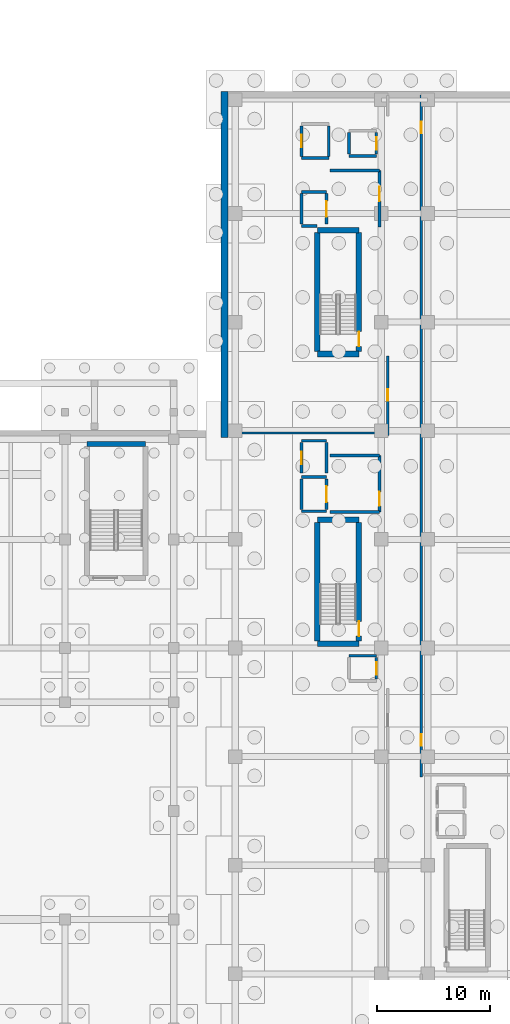
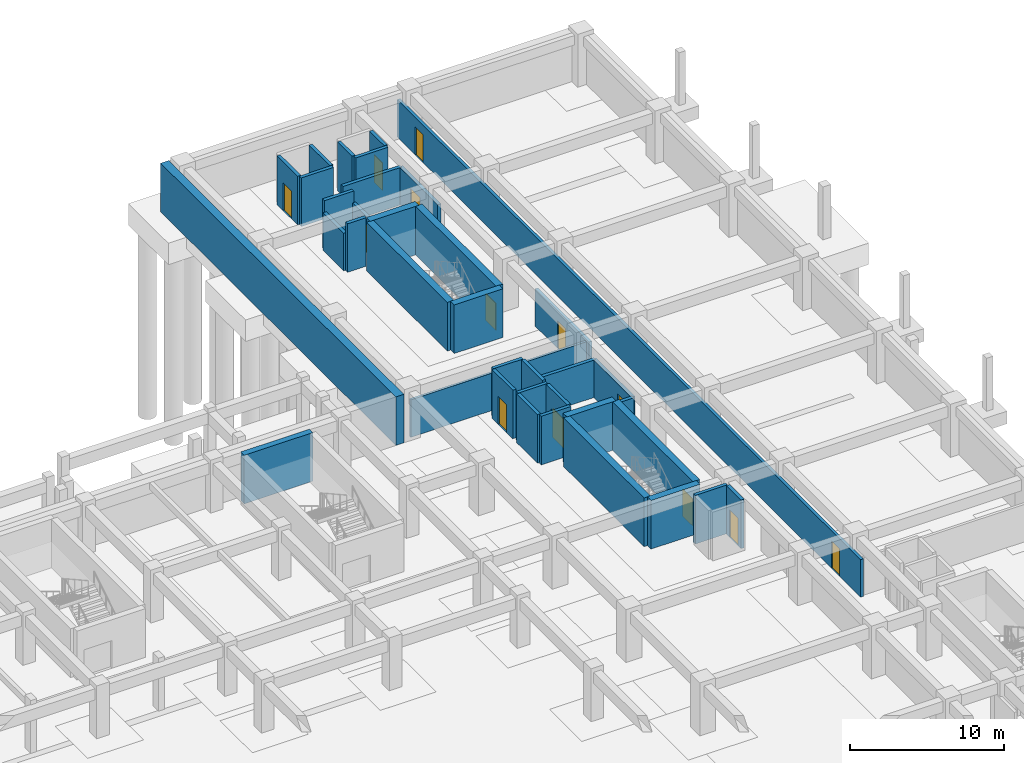
# One storey, part 23 of 39: 37 walls, 13 doors, 13 openings.
"""IFC4 building model written with IfcOpenShell, lengths in metres."""

from ifc_helpers import new_model, si_unit, direction, frame, frame_2d, origin, place, context, subcontext, project, spatial, rectangle, extrude, material, layer, layer_set, type_object, element, fill, save


model = new_model("IFC4")

# Units and contexts
model_context = context("Model", 3, precision=1e-05, world=origin(), true_north=direction((0.0, 1.0)))
body_context = subcontext(model_context, "Body", "Model", "MODEL_VIEW")
ifc_project = project(units=[si_unit("LENGTHUNIT", "METRE"), si_unit("AREAUNIT", "SQUARE_METRE"), si_unit("VOLUMEUNIT", "CUBIC_METRE"), si_unit("PLANEANGLEUNIT", "RADIAN"), si_unit("MASSUNIT", "GRAM", prefix="KILO")], contexts=[model_context])

# Site, building, storey
site_placement = place(None, origin())
site = spatial("IfcSite", under=ifc_project, at=site_placement, CompositionType="ELEMENT")
building_placement = place(site_placement, origin())
building = spatial("IfcBuilding", under=site, at=building_placement, Name="Nakhvara Creek Congress Hotel", CompositionType="ELEMENT")
storey_placement = place(building_placement, frame((0.0, 0.0, -8.39990234375)))
storey = spatial("IfcBuildingStorey", under=building, at=storey_placement, Name="B2", CompositionType="ELEMENT", Elevation=-8.39990234375)

# Walls
ifc_material_1 = material(Name="Concrete C50/60", Category="concrete")
ifc_layer_1 = layer(ifc_material_1, 0.449951171875)
ifc_layer_set_1 = layer_set([ifc_layer_1], Name="Concrete C50/60")
wall_type_1 = type_object("IfcWallType", Name="W-CORE-450", PredefinedType="SHEAR", material=ifc_layer_set_1)
wall_1_placement = place(storey_placement, frame((136.35009765625, 94.820068359375, 0.0), z_axis=(0.0, 0.0, 1.0), x_axis=(1.0, 0.0, 0.0)))
element("IfcWall", 1, at=wall_1_placement, inside=storey, type_object=wall_type_1, Name="Core Shear Wall WS02-CWALL-B2-0912", PredefinedType="SHEAR", context=body_context, shape_type="SweptSolid", body=[
    extrude(rectangle(XDim=5.14990234375, YDim=0.449951171875, at=frame_2d((2.574951171875, 0.0))), origin(), (0.0, 0.0, 1.0), 3.85986328125),
])
ifc_layer_2 = layer(ifc_material_1, 0.5)
ifc_layer_set_2 = layer_set([ifc_layer_2], Name="Concrete C50/60")
wall_type_2 = type_object("IfcWallType", Name="W-CORE-500", PredefinedType="SHEAR", material=ifc_layer_set_2)
for number, where, z_axis, x_axis, name in (
    (2, (156.699951171875, 77.179931640625, 0.0), (0.0, 0.0, 1.0), (1.0, 0.0, 0.0), "Core Shear Wall WS01-CWALL-B2-0001"),
    (3, (156.699951171875, 88.1201171875, 0.0), (0.0, 0.0, 1.0), (1.0, 0.0, 0.0), "Core Shear Wall WS01-CWALL-B2-0002"),
):
    element("IfcWall", number, at=place(storey_placement, frame(where, z_axis=z_axis, x_axis=x_axis)), inside=storey, type_object=wall_type_2, Name=name, PredefinedType="SHEAR", context=body_context, shape_type="SweptSolid", body=[
        extrude(rectangle(XDim=3.670166015625, YDim=0.5, at=frame_2d((1.8349609375, 0.0))), origin(), (0.0, 0.0, 1.0), 3.85986328125),
    ])
wall_2_placement = place(storey_placement, frame((156.699951171875, 77.39990234375, 0.0), z_axis=(0.0, 0.0, 1.0), x_axis=(0.0, 1.0, 0.0)))
element("IfcWall", 4, at=wall_2_placement, inside=storey, type_object=wall_type_2, Name="Core Shear Wall WS01-CWALL-B2-0003", PredefinedType="SHEAR", context=body_context, shape_type="SweptSolid", body=[
    extrude(rectangle(XDim=10.5, YDim=0.5, at=frame_2d((5.25, 0.0))), origin(), (0.0, 0.0, 1.0), 3.85986328125),
])

# Wall, opening, door
wall_3_placement = place(storey_placement, frame((160.3701171875, 77.39990234375, 0.0), z_axis=(0.0, 0.0, 1.0), x_axis=(0.0, 1.0, 0.0)))
wall_3 = element("IfcWall", 5, at=wall_3_placement, inside=storey, type_object=wall_type_2, Name="Core Shear Wall WS01-CWALL-B2-0004", PredefinedType="SHEAR", context=body_context, shape_type="SweptSolid", body=[
    extrude(rectangle(XDim=10.5, YDim=0.5, at=frame_2d((5.25, 0.0))), origin(), (0.0, 0.0, 1.0), 3.85986328125),
])
opening_1_placement = place(wall_3_placement, frame((0.449951171875, 0.0, 0.0)))
opening_1 = element("IfcOpeningElement", 6, at=opening_1_placement, cuts=wall_3, Name="Opening FD04", PredefinedType="OPENING", context=body_context, shape_type="SweptSolid", body=[
    extrude(rectangle(XDim=1.300048828125, YDim=2.14990234375, at=frame_2d((0.64990234375, 1.074951171875))), frame((0.0, 0.261962890625, 0.0), z_axis=(0.0, -1.0, 0.0), x_axis=(1.0, 0.0, 0.0)), (0.0, 0.0, 1.0), 0.52392578125),
])
ifc_material_2 = material(Name="Powder-coated steel fire door", Category="steel")
door_type_1 = type_object("IfcDoorType", Name="DT-STAIR-130", OperationType="NOTDEFINED", PredefinedType="DOOR", material=ifc_material_2)
door_1_placement = place(opening_1_placement, frame((1.300048828125, 0.0, 0.0), z_axis=(0.0, 0.0, 1.0), x_axis=(-1.0, 0.0, 0.0)))
door_1 = element("IfcDoor", 7, at=door_1_placement, inside=storey, type_object=door_type_1, Name="Stair Exit Door ST01-B2", OperationType="SINGLE_SWING_LEFT", OverallHeight=2.14990234375, OverallWidth=1.300048828125, PredefinedType="DOOR", context=body_context, shape_type="SweptSolid", body=[
    extrude(rectangle(XDim=1.300048828125, YDim=2.14990234375, at=frame_2d((0.64990234375, 1.074951171875))), frame((0.0, 0.02490234375, 0.0), z_axis=(0.0, -1.0, 0.0), x_axis=(1.0, 0.0, 0.0)), (0.0, 0.0, 1.0), 0.050048828125),
])
fill(opening_1, door_1)

# Walls
for number, where, z_axis, x_axis, name in (
    (8, (156.699951171875, 102.780029296875, 0.0), (0.0, 0.0, 1.0), (1.0, 0.0, 0.0), "Core Shear Wall WS01-CWALL-B2-0268"),
    (9, (156.699951171875, 113.719970703125, 0.0), (0.0, 0.0, 1.0), (1.0, 0.0, 0.0), "Core Shear Wall WS01-CWALL-B2-0269"),
):
    element("IfcWall", number, at=place(storey_placement, frame(where, z_axis=z_axis, x_axis=x_axis)), inside=storey, type_object=wall_type_2, Name=name, PredefinedType="SHEAR", context=body_context, shape_type="SweptSolid", body=[
        extrude(rectangle(XDim=3.670166015625, YDim=0.5, at=frame_2d((1.8349609375, 0.0))), origin(), (0.0, 0.0, 1.0), 3.85986328125),
    ])
wall_4_placement = place(storey_placement, frame((156.699951171875, 103.0, 0.0), z_axis=(0.0, 0.0, 1.0), x_axis=(0.0, 1.0, 0.0)))
element("IfcWall", 10, at=wall_4_placement, inside=storey, type_object=wall_type_2, Name="Core Shear Wall WS01-CWALL-B2-0270", PredefinedType="SHEAR", context=body_context, shape_type="SweptSolid", body=[
    extrude(rectangle(XDim=10.5, YDim=0.5, at=frame_2d((5.25, 0.0))), origin(), (0.0, 0.0, 1.0), 3.85986328125),
])

# Wall, opening, door
wall_5_placement = place(storey_placement, frame((160.3701171875, 103.0, 0.0), z_axis=(0.0, 0.0, 1.0), x_axis=(0.0, 1.0, 0.0)))
wall_5 = element("IfcWall", 11, at=wall_5_placement, inside=storey, type_object=wall_type_2, Name="Core Shear Wall WS01-CWALL-B2-0271", PredefinedType="SHEAR", context=body_context, shape_type="SweptSolid", body=[
    extrude(rectangle(XDim=10.5, YDim=0.5, at=frame_2d((5.25, 0.0))), origin(), (0.0, 0.0, 1.0), 3.85986328125),
])
opening_2_placement = place(wall_5_placement, frame((0.449951171875, 0.0, 0.0)))
opening_2 = element("IfcOpeningElement", 12, at=opening_2_placement, cuts=wall_5, Name="Opening FD04", PredefinedType="OPENING", context=body_context, shape_type="SweptSolid", body=[
    extrude(rectangle(XDim=1.300048828125, YDim=2.14990234375, at=frame_2d((0.64990234375, 1.074951171875))), frame((0.0, 0.261962890625, 0.0), z_axis=(0.0, -1.0, 0.0), x_axis=(1.0, 0.0, 0.0)), (0.0, 0.0, 1.0), 0.52392578125),
])
door_2_placement = place(opening_2_placement, frame((1.300048828125, 0.0, 0.0), z_axis=(0.0, 0.0, 1.0), x_axis=(-1.0, 0.0, 0.0)))
door_2 = element("IfcDoor", 13, at=door_2_placement, inside=storey, type_object=door_type_1, Name="Stair Exit Door ST02-B2", OperationType="SINGLE_SWING_LEFT", OverallHeight=2.14990234375, OverallWidth=1.300048828125, PredefinedType="DOOR", context=body_context, shape_type="SweptSolid", body=[
    extrude(rectangle(XDim=1.300048828125, YDim=2.14990234375, at=frame_2d((0.64990234375, 1.074951171875))), frame((0.0, 0.02490234375, 0.0), z_axis=(0.0, -1.0, 0.0), x_axis=(1.0, 0.0, 0.0)), (0.0, 0.0, 1.0), 0.050048828125),
])
fill(opening_2, door_2)

ifc_material_3 = material(Name="Gypsum acoustic board on steel stud", Category="steel")
ifc_layer_3 = layer(ifc_material_3, 0.219970703125)
ifc_layer_set_3 = layer_set([ifc_layer_3], Name="Gypsum acoustic board on steel stud")
wall_type_3 = type_object("IfcWallType", Name="W-CORR-220", PredefinedType="PARTITIONING", material=ifc_layer_set_3)
wall_6_placement = place(storey_placement, frame((162.919921875, 95.60009765625, 0.0), z_axis=(0.0, 0.0, 1.0), x_axis=(0.0, 1.0, 0.0)))
wall_6 = element("IfcWall", 14, at=wall_6_placement, inside=storey, type_object=wall_type_3, Name="Interior Wall WP11-IW-B2-0028", PredefinedType="PARTITIONING", context=body_context, shape_type="SweptSolid", body=[
    extrude(rectangle(XDim=7.0, YDim=0.219970703125, at=frame_2d((3.5, 0.0))), origin(), (0.0, 0.0, 1.0), 2.971923828125),
])
opening_3_placement = place(wall_6_placement, frame((3.050048828125, 0.0, 0.0)))
opening_3 = element("IfcOpeningElement", 15, at=opening_3_placement, cuts=wall_6, Name="Opening GD01", PredefinedType="OPENING", context=body_context, shape_type="SweptSolid", body=[
    extrude(rectangle(XDim=1.02001953125, YDim=2.199951171875, at=frame_2d((0.510009765625, 1.10009765625))), frame((0.0, 0.1220703125, 0.0), z_axis=(0.0, -1.0, 0.0), x_axis=(1.0, 0.0, 0.0)), (0.0, 0.0, 1.0), 0.243896484375),
])
ifc_material_4 = material(Name="Walnut hardwood timber fire door", Category="wood")
door_type_2 = type_object("IfcDoorType", Name="DT-GUEST-102", OperationType="NOTDEFINED", PredefinedType="DOOR", material=ifc_material_4)
door_3_placement = place(opening_3_placement, frame((1.02001953125, 0.0, 0.0), z_axis=(0.0, 0.0, 1.0), x_axis=(-1.0, 0.0, 0.0)))
door_3 = element("IfcDoor", 16, at=door_3_placement, inside=storey, type_object=door_type_2, Name="Interior Door GD01-0039", OperationType="SINGLE_SWING_RIGHT", OverallHeight=2.199951171875, OverallWidth=1.02001953125, PredefinedType="DOOR", context=body_context, shape_type="SweptSolid", body=[
    extrude(rectangle(XDim=1.02001953125, YDim=2.199951171875, at=frame_2d((0.510009765625, 1.10009765625))), frame((0.0, 0.02490234375, 0.0), z_axis=(0.0, -1.0, 0.0), x_axis=(1.0, 0.0, 0.0)), (0.0, 0.0, 1.0), 0.050048828125),
])
fill(opening_3, door_3)

# Wall, openings, doors
wall_7_placement = place(storey_placement, frame((165.8798828125, 65.39990234375, 0.0), z_axis=(0.0, 0.0, 1.0), x_axis=(0.0, 1.0, 0.0)))
wall_7 = element("IfcWall", 17, at=wall_7_placement, inside=storey, type_object=wall_type_3, Name="Interior Wall WP11-IW-B2-0032", PredefinedType="PARTITIONING", context=body_context, shape_type="SweptSolid", body=[
    extrude(rectangle(XDim=60.25, YDim=0.219970703125, at=frame_2d((30.125, 0.0))), origin(), (0.0, 0.0, 1.0), 2.971923828125),
])
opening_4_placement = place(wall_7_placement, frame((2.75, 0.0, 0.0)))
opening_4 = element("IfcOpeningElement", 18, at=opening_4_placement, cuts=wall_7, Name="Opening GD01", PredefinedType="OPENING", context=body_context, shape_type="SweptSolid", body=[
    extrude(rectangle(XDim=1.02001953125, YDim=2.199951171875, at=frame_2d((0.510009765625, 1.10009765625))), frame((0.0, 0.1220703125, 0.0), z_axis=(0.0, -1.0, 0.0), x_axis=(1.0, 0.0, 0.0)), (0.0, 0.0, 1.0), 0.243896484375),
])
opening_5_placement = place(wall_7_placement, frame((56.89990234375, 0.0, 0.0)))
opening_5 = element("IfcOpeningElement", 19, at=opening_5_placement, cuts=wall_7, Name="Opening GD01", PredefinedType="OPENING", context=body_context, shape_type="SweptSolid", body=[
    extrude(rectangle(XDim=1.02001953125, YDim=2.199951171875, at=frame_2d((0.510009765625, 1.10009765625))), frame((0.0, 0.1220703125, 0.0), z_axis=(0.0, -1.0, 0.0), x_axis=(1.0, 0.0, 0.0)), (0.0, 0.0, 1.0), 0.243896484375),
])
door_4_placement = place(opening_4_placement, origin())
door_4 = element("IfcDoor", 20, at=door_4_placement, inside=storey, type_object=door_type_2, Name="Interior Door GD01-0037", OperationType="SINGLE_SWING_RIGHT", OverallHeight=2.199951171875, OverallWidth=1.02001953125, PredefinedType="DOOR", context=body_context, shape_type="SweptSolid", body=[
    extrude(rectangle(XDim=1.02001953125, YDim=2.199951171875, at=frame_2d((0.510009765625, 1.10009765625))), frame((0.0, 0.02490234375, 0.0), z_axis=(0.0, -1.0, 0.0), x_axis=(1.0, 0.0, 0.0)), (0.0, 0.0, 1.0), 0.050048828125),
])
fill(opening_4, door_4)
door_5_placement = place(opening_5_placement, origin())
door_5 = element("IfcDoor", 21, at=door_5_placement, inside=storey, type_object=door_type_2, Name="Interior Door GD01-0038", OperationType="SINGLE_SWING_LEFT", OverallHeight=2.199951171875, OverallWidth=1.02001953125, PredefinedType="DOOR", context=body_context, shape_type="SweptSolid", body=[
    extrude(rectangle(XDim=1.02001953125, YDim=2.199951171875, at=frame_2d((0.510009765625, 1.10009765625))), frame((0.0, 0.02490234375, 0.0), z_axis=(0.0, -1.0, 0.0), x_axis=(1.0, 0.0, 0.0)), (0.0, 0.0, 1.0), 0.050048828125),
])
fill(opening_5, door_5)

# Wall, opening, door
ifc_material_5 = material(Name="Concrete C40/50", Category="concrete")
ifc_layer_4 = layer(ifc_material_5, 0.260009765625)
ifc_layer_set_4 = layer_set([ifc_layer_4], Name="Concrete C40/50")
wall_type_4 = type_object("IfcWallType", Name="W-FFL-260", PredefinedType="SOLIDWALL", material=ifc_layer_set_4)
wall_8_placement = place(storey_placement, frame((162.199951171875, 88.800048828125, 0.0), z_axis=(0.0, 0.0, 1.0), x_axis=(0.0, 1.0, 0.0)))
wall_8 = element("IfcWall", 22, at=wall_8_placement, inside=storey, type_object=wall_type_4, Name="Core Shear Wall WI03-CWALL-B2-0016", PredefinedType="SOLIDWALL", context=body_context, shape_type="SweptSolid", body=[
    extrude(rectangle(XDim=5.0, YDim=0.260009765625, at=frame_2d((2.5, 0.0))), origin(), (0.0, 0.0, 1.0), 2.971923828125),
])
opening_6_placement = place(wall_8_placement, frame((0.550048828125, 0.0, 0.0)))
opening_6 = element("IfcOpeningElement", 23, at=opening_6_placement, cuts=wall_8, Name="Opening FD05", PredefinedType="OPENING", context=body_context, shape_type="SweptSolid", body=[
    extrude(rectangle(XDim=1.25, YDim=2.14990234375, at=frame_2d((0.625, 1.074951171875))), frame((0.0, 0.14208984375, 0.0), z_axis=(0.0, -1.0, 0.0), x_axis=(1.0, 0.0, 0.0)), (0.0, 0.0, 1.0), 0.283935546875),
])
ifc_material_6 = material(Name="Hardwood-veneered steel fire door", Category="steel")
door_type_3 = type_object("IfcDoorType", Name="DT-FFL-125", OperationType="NOTDEFINED", PredefinedType="DOOR", material=ifc_material_6)
door_6_placement = place(opening_6_placement, origin())
door_6 = element("IfcDoor", 24, at=door_6_placement, inside=storey, type_object=door_type_3, Name="Firefighting Lobby Door C1-B2", OperationType="DOUBLE_DOOR_SINGLE_SWING", OverallHeight=2.14990234375, OverallWidth=1.25, PredefinedType="DOOR", context=body_context, shape_type="SweptSolid", body=[
    extrude(rectangle(XDim=1.25, YDim=2.14990234375, at=frame_2d((0.625, 1.074951171875))), frame((0.0, 0.02490234375, 0.0), z_axis=(0.0, -1.0, 0.0), x_axis=(1.0, 0.0, 0.0)), (0.0, 0.0, 1.0), 0.050048828125),
])
fill(opening_6, door_6)

# Walls
for number, where, z_axis, x_axis, name in (
    (25, (157.800048828125, 88.800048828125, 0.0), (0.0, 0.0, 1.0), (1.0, 0.0, 0.0), "Core Shear Wall WI03-CWALL-B2-0017"),
    (26, (157.800048828125, 93.800048828125, 0.0), (0.0, 0.0, 1.0), (1.0, 0.0, 0.0), "Core Shear Wall WI03-CWALL-B2-0018"),
):
    element("IfcWall", number, at=place(storey_placement, frame(where, z_axis=z_axis, x_axis=x_axis)), inside=storey, type_object=wall_type_4, Name=name, PredefinedType="SOLIDWALL", context=body_context, shape_type="SweptSolid", body=[
        extrude(rectangle(XDim=4.39990234375, YDim=0.260009765625, at=frame_2d((2.199951171875, 0.0))), origin(), (0.0, 0.0, 1.0), 2.971923828125),
    ])

# Wall, opening, door
wall_9_placement = place(storey_placement, frame((162.199951171875, 114.0, 0.0), z_axis=(0.0, 0.0, 1.0), x_axis=(0.0, 1.0, 0.0)))
wall_9 = element("IfcWall", 27, at=wall_9_placement, inside=storey, type_object=wall_type_4, Name="Core Shear Wall WI03-CWALL-B2-0284", PredefinedType="SOLIDWALL", context=body_context, shape_type="SweptSolid", body=[
    extrude(rectangle(XDim=5.0, YDim=0.260009765625, at=frame_2d((2.5, 0.0))), origin(), (0.0, 0.0, 1.0), 2.971923828125),
])
opening_7_placement = place(wall_9_placement, frame((2.300048828125, 0.0, 0.0)))
opening_7 = element("IfcOpeningElement", 28, at=opening_7_placement, cuts=wall_9, Name="Opening FD05", PredefinedType="OPENING", context=body_context, shape_type="SweptSolid", body=[
    extrude(rectangle(XDim=1.25, YDim=2.14990234375, at=frame_2d((0.625, 1.074951171875))), frame((0.0, 0.14208984375, 0.0), z_axis=(0.0, -1.0, 0.0), x_axis=(1.0, 0.0, 0.0)), (0.0, 0.0, 1.0), 0.283935546875),
])
door_7_placement = place(opening_7_placement, origin())
door_7 = element("IfcDoor", 29, at=door_7_placement, inside=storey, type_object=door_type_3, Name="Firefighting Lobby Door C2-B2", OperationType="DOUBLE_DOOR_SINGLE_SWING", OverallHeight=2.14990234375, OverallWidth=1.25, PredefinedType="DOOR", context=body_context, shape_type="SweptSolid", body=[
    extrude(rectangle(XDim=1.25, YDim=2.14990234375, at=frame_2d((0.625, 1.074951171875))), frame((0.0, 0.02490234375, 0.0), z_axis=(0.0, -1.0, 0.0), x_axis=(1.0, 0.0, 0.0)), (0.0, 0.0, 1.0), 0.050048828125),
])
fill(opening_7, door_7)

# Walls
wall_10_placement = place(storey_placement, frame((157.800048828125, 119.0, 0.0), z_axis=(0.0, 0.0, 1.0), x_axis=(1.0, 0.0, 0.0)))
element("IfcWall", 30, at=wall_10_placement, inside=storey, type_object=wall_type_4, Name="Core Shear Wall WI03-CWALL-B2-0285", PredefinedType="SOLIDWALL", context=body_context, shape_type="SweptSolid", body=[
    extrude(rectangle(XDim=4.39990234375, YDim=0.260009765625, at=frame_2d((2.199951171875, 0.0))), origin(), (0.0, 0.0, 1.0), 2.971923828125),
])
ifc_layer_5 = layer(ifc_material_3, 0.179931640625)
ifc_layer_set_5 = layer_set([ifc_layer_5], Name="Gypsum acoustic board on steel stud")
wall_type_5 = type_object("IfcWallType", Name="W-MEET-180", PredefinedType="PARTITIONING", material=ifc_layer_set_5)
wall_11_placement = place(storey_placement, frame((149.5, 95.800048828125, 0.0), z_axis=(0.0, 0.0, 1.0), x_axis=(1.0, 0.0, 0.0)))
element("IfcWall", 31, at=wall_11_placement, inside=storey, type_object=wall_type_5, Name="Interior Wall WP13-IW-B2-0038", PredefinedType="PARTITIONING", context=body_context, shape_type="SweptSolid", body=[
    extrude(rectangle(XDim=13.199951171875, YDim=0.179931640625, at=frame_2d((6.60009765625, 0.0))), origin(), (0.0, 0.0, 1.0), 2.971923828125),
])
ifc_layer_6 = layer(ifc_material_5, 0.60009765625)
ifc_layer_set_6 = layer_set([ifc_layer_6], Name="Concrete C40/50")
wall_type_6 = type_object("IfcWallType", Name="W-RET-600", PredefinedType="USERDEFINED", material=ifc_layer_set_6)
wall_12_placement = place(storey_placement, frame((148.5, 95.39990234375, 0.0), z_axis=(0.0, 0.0, 1.0), x_axis=(0.0, 1.0, 0.0)))
element("IfcWall", 32, at=wall_12_placement, inside=storey, type_object=wall_type_6, Name="Exterior Wall WR01-EW-B2-0005", ObjectType="RETAININGWALL", PredefinedType="USERDEFINED", context=body_context, shape_type="SweptSolid", body=[
    extrude(rectangle(XDim=30.60009765625, YDim=0.60009765625, at=frame_2d((15.300048828125, 0.0))), origin(), (0.0, 0.0, 1.0), 3.85986328125),
])
ifc_layer_7 = layer(ifc_material_5, 0.25)
ifc_layer_set_7 = layer_set([ifc_layer_7], Name="Concrete C40/50")
wall_type_7 = type_object("IfcWallType", Name="W-SHAFT-250", PredefinedType="SOLIDWALL", material=ifc_layer_set_7)
for number, where, z_axis, x_axis, name in (
    (33, (155.2900390625, 88.889892578125, 0.0), (0.0, 0.0, 1.0), (1.0, 0.0, 0.0), "Core Shear Wall WI02-CWALL-B2-0005"),
    (34, (155.2900390625, 91.909912109375, 0.0), (0.0, 0.0, 1.0), (1.0, 0.0, 0.0), "Core Shear Wall WI02-CWALL-B2-0006"),
):
    element("IfcWall", number, at=place(storey_placement, frame(where, z_axis=z_axis, x_axis=x_axis)), inside=storey, type_object=wall_type_7, Name=name, PredefinedType="SOLIDWALL", context=body_context, shape_type="SweptSolid", body=[
        extrude(rectangle(XDim=2.219970703125, YDim=0.25, at=frame_2d((1.10986328125, 0.0))), origin(), (0.0, 0.0, 1.0), 3.85986328125),
    ])
wall_13_placement = place(storey_placement, frame((155.2900390625, 89.050048828125, 0.0), z_axis=(0.0, 0.0, 1.0), x_axis=(0.0, 1.0, 0.0)))
element("IfcWall", 35, at=wall_13_placement, inside=storey, type_object=wall_type_7, Name="Core Shear Wall WI02-CWALL-B2-0007", PredefinedType="SOLIDWALL", context=body_context, shape_type="SweptSolid", body=[
    extrude(rectangle(XDim=2.699951171875, YDim=0.25, at=frame_2d((1.35009765625, 0.0))), origin(), (0.0, 0.0, 1.0), 3.85986328125),
])

# Wall, opening, door
wall_14_placement = place(storey_placement, frame((157.510009765625, 89.050048828125, 0.0), z_axis=(0.0, 0.0, 1.0), x_axis=(0.0, 1.0, 0.0)))
wall_14 = element("IfcWall", 36, at=wall_14_placement, inside=storey, type_object=wall_type_7, Name="Core Shear Wall WI02-CWALL-B2-0008", PredefinedType="SOLIDWALL", context=body_context, shape_type="SweptSolid", body=[
    extrude(rectangle(XDim=2.699951171875, YDim=0.25, at=frame_2d((1.35009765625, 0.0))), origin(), (0.0, 0.0, 1.0), 3.85986328125),
])
opening_8_placement = place(wall_14_placement, frame((0.64990234375, 0.0, 0.0)))
opening_8 = element("IfcOpeningElement", 37, at=opening_8_placement, cuts=wall_14, Name="Opening LD02", PredefinedType="OPENING", context=body_context, shape_type="SweptSolid", body=[
    extrude(rectangle(XDim=1.39990234375, YDim=2.300048828125, at=frame_2d((0.699951171875, 1.14990234375))), frame((0.0, 0.136962890625, 0.0), z_axis=(0.0, -1.0, 0.0), x_axis=(1.0, 0.0, 0.0)), (0.0, 0.0, 1.0), 0.27392578125),
])
ifc_material_7 = material(Name="Brushed stainless steel heavy goods landing door", Category="steel")
door_type_4 = type_object("IfcDoorType", Name="DT-LIFT-140", OperationType="DOUBLE_DOOR_SLIDING", PredefinedType="DOOR", material=ifc_material_7)
door_8_placement = place(opening_8_placement, origin())
door_8 = element("IfcDoor", 38, at=door_8_placement, inside=storey, type_object=door_type_4, Name="Landing Door FFL1-B2", OperationType="SLIDING_TO_LEFT", OverallHeight=2.300048828125, OverallWidth=1.39990234375, PredefinedType="DOOR", context=body_context, shape_type="SweptSolid", body=[
    extrude(rectangle(XDim=1.39990234375, YDim=2.300048828125, at=frame_2d((0.699951171875, 1.14990234375))), frame((0.0, 0.02490234375, 0.0), z_axis=(0.0, -1.0, 0.0), x_axis=(1.0, 0.0, 0.0)), (0.0, 0.0, 1.0), 0.050048828125),
])
fill(opening_8, door_8)

# Wall
wall_15_placement = place(storey_placement, frame((155.2900390625, 95.110107421875, 0.0), z_axis=(0.0, 0.0, 1.0), x_axis=(1.0, 0.0, 0.0)))
element("IfcWall", 39, at=wall_15_placement, inside=storey, type_object=wall_type_7, Name="Core Shear Wall WI02-CWALL-B2-0009", PredefinedType="SOLIDWALL", context=body_context, shape_type="SweptSolid", body=[
    extrude(rectangle(XDim=2.219970703125, YDim=0.25, at=frame_2d((1.10986328125, 0.0))), origin(), (0.0, 0.0, 1.0), 3.85986328125),
])

# Wall, opening, door
wall_16_placement = place(storey_placement, frame((155.2900390625, 92.25, 0.0), z_axis=(0.0, 0.0, 1.0), x_axis=(0.0, 1.0, 0.0)))
wall_16 = element("IfcWall", 40, at=wall_16_placement, inside=storey, type_object=wall_type_7, Name="Core Shear Wall WI02-CWALL-B2-0010", PredefinedType="SOLIDWALL", context=body_context, shape_type="SweptSolid", body=[
    extrude(rectangle(XDim=2.699951171875, YDim=0.25, at=frame_2d((1.35009765625, 0.0))), origin(), (0.0, 0.0, 1.0), 3.85986328125),
])
opening_9_placement = place(wall_16_placement, frame((0.800048828125, 0.0, 0.0)))
opening_9 = element("IfcOpeningElement", 41, at=opening_9_placement, cuts=wall_16, Name="Opening LD01", PredefinedType="OPENING", context=body_context, shape_type="SweptSolid", body=[
    extrude(rectangle(XDim=1.10009765625, YDim=2.199951171875, at=frame_2d((0.550048828125, 1.10009765625))), frame((0.0, 0.136962890625, 0.0), z_axis=(0.0, -1.0, 0.0), x_axis=(1.0, 0.0, 0.0)), (0.0, 0.0, 1.0), 0.27392578125),
])
ifc_material_8 = material(Name="Brushed stainless steel sliding landing door", Category="steel")
door_type_5 = type_object("IfcDoorType", Name="DT-LIFT-110", OperationType="DOUBLE_DOOR_SLIDING", PredefinedType="DOOR", material=ifc_material_8)
door_9_placement = place(opening_9_placement, origin())
door_9 = element("IfcDoor", 42, at=door_9_placement, inside=storey, type_object=door_type_5, Name="Landing Door SL01-B2", OperationType="SLIDING_TO_LEFT", OverallHeight=2.199951171875, OverallWidth=1.10009765625, PredefinedType="DOOR", context=body_context, shape_type="SweptSolid", body=[
    extrude(rectangle(XDim=1.10009765625, YDim=2.199951171875, at=frame_2d((0.550048828125, 1.10009765625))), frame((0.0, 0.02490234375, 0.0), z_axis=(0.0, -1.0, 0.0), x_axis=(1.0, 0.0, 0.0)), (0.0, 0.0, 1.0), 0.050048828125),
])
fill(opening_9, door_9)

# Walls
wall_17_placement = place(storey_placement, frame((157.510009765625, 92.25, 0.0), z_axis=(0.0, 0.0, 1.0), x_axis=(0.0, 1.0, 0.0)))
element("IfcWall", 43, at=wall_17_placement, inside=storey, type_object=wall_type_7, Name="Core Shear Wall WI02-CWALL-B2-0011", PredefinedType="SOLIDWALL", context=body_context, shape_type="SweptSolid", body=[
    extrude(rectangle(XDim=2.699951171875, YDim=0.25, at=frame_2d((1.35009765625, 0.0))), origin(), (0.0, 0.0, 1.0), 3.85986328125),
])
wall_18_placement = place(storey_placement, frame((159.489990234375, 76.110107421875, 0.0), z_axis=(0.0, 0.0, 1.0), x_axis=(1.0, 0.0, 0.0)))
element("IfcWall", 44, at=wall_18_placement, inside=storey, type_object=wall_type_7, Name="Core Shear Wall WI02-CWALL-B2-0013", PredefinedType="SOLIDWALL", context=body_context, shape_type="SweptSolid", body=[
    extrude(rectangle(XDim=2.419921875, YDim=0.25, at=frame_2d((1.2099609375, 0.0))), origin(), (0.0, 0.0, 1.0), 3.85986328125),
])

# Wall, opening, door
wall_19_placement = place(storey_placement, frame((161.909912109375, 74.050048828125, 0.0), z_axis=(0.0, 0.0, 1.0), x_axis=(0.0, 1.0, 0.0)))
wall_19 = element("IfcWall", 45, at=wall_19_placement, inside=storey, type_object=wall_type_7, Name="Core Shear Wall WI02-CWALL-B2-0015", PredefinedType="SOLIDWALL", context=body_context, shape_type="SweptSolid", body=[
    extrude(rectangle(XDim=1.89990234375, YDim=0.25, at=frame_2d((0.949951171875, 0.0))), origin(), (0.0, 0.0, 1.0), 3.85986328125),
])
opening_10_placement = place(wall_19_placement, frame((0.39990234375, 0.0, 0.0)))
opening_10 = element("IfcOpeningElement", 46, at=opening_10_placement, cuts=wall_19, Name="Opening LD01", PredefinedType="OPENING", context=body_context, shape_type="SweptSolid", body=[
    extrude(rectangle(XDim=1.10009765625, YDim=2.199951171875, at=frame_2d((0.550048828125, 1.10009765625))), frame((0.0, 0.136962890625, 0.0), z_axis=(0.0, -1.0, 0.0), x_axis=(1.0, 0.0, 0.0)), (0.0, 0.0, 1.0), 0.27392578125),
])
door_10_placement = place(opening_10_placement, origin())
door_10 = element("IfcDoor", 47, at=door_10_placement, inside=storey, type_object=door_type_5, Name="Landing Door PL02-B2", OperationType="SLIDING_TO_LEFT", OverallHeight=2.199951171875, OverallWidth=1.10009765625, PredefinedType="DOOR", context=body_context, shape_type="SweptSolid", body=[
    extrude(rectangle(XDim=1.10009765625, YDim=2.199951171875, at=frame_2d((0.550048828125, 1.10009765625))), frame((0.0, 0.02490234375, 0.0), z_axis=(0.0, -1.0, 0.0), x_axis=(1.0, 0.0, 0.0)), (0.0, 0.0, 1.0), 0.050048828125),
])
fill(opening_10, door_10)

# Walls
wall_20_placement = place(storey_placement, frame((155.2900390625, 114.090087890625, 0.0), z_axis=(0.0, 0.0, 1.0), x_axis=(1.0, 0.0, 0.0)))
element("IfcWall", 48, at=wall_20_placement, inside=storey, type_object=wall_type_7, Name="Core Shear Wall WI02-CWALL-B2-0272", PredefinedType="SOLIDWALL", context=body_context, shape_type="SweptSolid", body=[
    extrude(rectangle(XDim=1.39990234375, YDim=0.25, at=frame_2d((0.699951171875, 0.0))), origin(), (0.0, 0.0, 1.0), 3.85986328125),
])
wall_21_placement = place(storey_placement, frame((155.2900390625, 117.110107421875, 0.0), z_axis=(0.0, 0.0, 1.0), x_axis=(1.0, 0.0, 0.0)))
element("IfcWall", 49, at=wall_21_placement, inside=storey, type_object=wall_type_7, Name="Core Shear Wall WI02-CWALL-B2-0273", PredefinedType="SOLIDWALL", context=body_context, shape_type="SweptSolid", body=[
    extrude(rectangle(XDim=2.219970703125, YDim=0.25, at=frame_2d((1.10986328125, 0.0))), origin(), (0.0, 0.0, 1.0), 3.85986328125),
])
wall_22_placement = place(storey_placement, frame((155.2900390625, 114.25, 0.0), z_axis=(0.0, 0.0, 1.0), x_axis=(0.0, 1.0, 0.0)))
element("IfcWall", 50, at=wall_22_placement, inside=storey, type_object=wall_type_7, Name="Core Shear Wall WI02-CWALL-B2-0274", PredefinedType="SOLIDWALL", context=body_context, shape_type="SweptSolid", body=[
    extrude(rectangle(XDim=2.699951171875, YDim=0.25, at=frame_2d((1.35009765625, 0.0))), origin(), (0.0, 0.0, 1.0), 2.971923828125),
])

# Wall, opening, door
wall_23_placement = place(storey_placement, frame((157.510009765625, 114.25, 0.0), z_axis=(0.0, 0.0, 1.0), x_axis=(0.0, 1.0, 0.0)))
wall_23 = element("IfcWall", 51, at=wall_23_placement, inside=storey, type_object=wall_type_7, Name="Core Shear Wall WI02-CWALL-B2-0275", PredefinedType="SOLIDWALL", context=body_context, shape_type="SweptSolid", body=[
    extrude(rectangle(XDim=2.699951171875, YDim=0.25, at=frame_2d((1.35009765625, 0.0))), origin(), (0.0, 0.0, 1.0), 2.971923828125),
])
opening_11_placement = place(wall_23_placement, frame((0.64990234375, 0.0, 0.0)))
opening_11 = element("IfcOpeningElement", 52, at=opening_11_placement, cuts=wall_23, Name="Opening LD02", PredefinedType="OPENING", context=body_context, shape_type="SweptSolid", body=[
    extrude(rectangle(XDim=1.39990234375, YDim=2.300048828125, at=frame_2d((0.699951171875, 1.14990234375))), frame((0.0, 0.136962890625, 0.0), z_axis=(0.0, -1.0, 0.0), x_axis=(1.0, 0.0, 0.0)), (0.0, 0.0, 1.0), 0.27392578125),
])
door_11_placement = place(opening_11_placement, origin())
door_11 = element("IfcDoor", 53, at=door_11_placement, inside=storey, type_object=door_type_4, Name="Landing Door FFL2-B2", OperationType="SLIDING_TO_LEFT", OverallHeight=2.300048828125, OverallWidth=1.39990234375, PredefinedType="DOOR", context=body_context, shape_type="SweptSolid", body=[
    extrude(rectangle(XDim=1.39990234375, YDim=2.300048828125, at=frame_2d((0.699951171875, 1.14990234375))), frame((0.0, 0.02490234375, 0.0), z_axis=(0.0, -1.0, 0.0), x_axis=(1.0, 0.0, 0.0)), (0.0, 0.0, 1.0), 0.050048828125),
])
fill(opening_11, door_11)

# Walls
wall_24_placement = place(storey_placement, frame((159.489990234375, 120.2900390625, 0.0), z_axis=(0.0, 0.0, 1.0), x_axis=(1.0, 0.0, 0.0)))
element("IfcWall", 54, at=wall_24_placement, inside=storey, type_object=wall_type_7, Name="Core Shear Wall WI02-CWALL-B2-0276", PredefinedType="SOLIDWALL", context=body_context, shape_type="SweptSolid", body=[
    extrude(rectangle(XDim=2.419921875, YDim=0.25, at=frame_2d((1.2099609375, 0.0))), origin(), (0.0, 0.0, 1.0), 3.85986328125),
])
wall_25_placement = place(storey_placement, frame((159.489990234375, 120.449951171875, 0.0), z_axis=(0.0, 0.0, 1.0), x_axis=(0.0, 1.0, 0.0)))
element("IfcWall", 55, at=wall_25_placement, inside=storey, type_object=wall_type_7, Name="Core Shear Wall WI02-CWALL-B2-0278", PredefinedType="SOLIDWALL", context=body_context, shape_type="SweptSolid", body=[
    extrude(rectangle(XDim=1.900146484375, YDim=0.25, at=frame_2d((0.9501953125, 0.0))), origin(), (0.0, 0.0, 1.0), 3.85986328125),
])

# Wall, opening, door
wall_26_placement = place(storey_placement, frame((161.909912109375, 120.449951171875, 0.0), z_axis=(0.0, 0.0, 1.0), x_axis=(0.0, 1.0, 0.0)))
wall_26 = element("IfcWall", 56, at=wall_26_placement, inside=storey, type_object=wall_type_7, Name="Core Shear Wall WI02-CWALL-B2-0279", PredefinedType="SOLIDWALL", context=body_context, shape_type="SweptSolid", body=[
    extrude(rectangle(XDim=1.900146484375, YDim=0.25, at=frame_2d((0.9501953125, 0.0))), origin(), (0.0, 0.0, 1.0), 3.85986328125),
])
opening_12_placement = place(wall_26_placement, frame((0.39990234375, 0.0, 0.0)))
opening_12 = element("IfcOpeningElement", 57, at=opening_12_placement, cuts=wall_26, Name="Opening LD01", PredefinedType="OPENING", context=body_context, shape_type="SweptSolid", body=[
    extrude(rectangle(XDim=1.10009765625, YDim=2.199951171875, at=frame_2d((0.550048828125, 1.10009765625))), frame((0.0, 0.136962890625, 0.0), z_axis=(0.0, -1.0, 0.0), x_axis=(1.0, 0.0, 0.0)), (0.0, 0.0, 1.0), 0.27392578125),
])
door_12_placement = place(opening_12_placement, origin())
door_12 = element("IfcDoor", 58, at=door_12_placement, inside=storey, type_object=door_type_5, Name="Landing Door PL01-B2", OperationType="SLIDING_TO_LEFT", OverallHeight=2.199951171875, OverallWidth=1.10009765625, PredefinedType="DOOR", context=body_context, shape_type="SweptSolid", body=[
    extrude(rectangle(XDim=1.10009765625, YDim=2.199951171875, at=frame_2d((0.550048828125, 1.10009765625))), frame((0.0, 0.02490234375, 0.0), z_axis=(0.0, -1.0, 0.0), x_axis=(1.0, 0.0, 0.0)), (0.0, 0.0, 1.0), 0.050048828125),
])
fill(opening_12, door_12)

# Wall
wall_27_placement = place(storey_placement, frame((155.2900390625, 120.090087890625, 0.0), z_axis=(0.0, 0.0, 1.0), x_axis=(1.0, 0.0, 0.0)))
element("IfcWall", 59, at=wall_27_placement, inside=storey, type_object=wall_type_7, Name="Core Shear Wall WI02-CWALL-B2-0280", PredefinedType="SOLIDWALL", context=body_context, shape_type="SweptSolid", body=[
    extrude(rectangle(XDim=2.419921875, YDim=0.25, at=frame_2d((1.2099609375, 0.0))), origin(), (0.0, 0.0, 1.0), 3.85986328125),
])

# Wall, opening, door
wall_28_placement = place(storey_placement, frame((155.2900390625, 120.25, 0.0), z_axis=(0.0, 0.0, 1.0), x_axis=(0.0, 1.0, 0.0)))
wall_28 = element("IfcWall", 60, at=wall_28_placement, inside=storey, type_object=wall_type_7, Name="Core Shear Wall WI02-CWALL-B2-0282", PredefinedType="SOLIDWALL", context=body_context, shape_type="SweptSolid", body=[
    extrude(rectangle(XDim=2.699951171875, YDim=0.25, at=frame_2d((1.35009765625, 0.0))), origin(), (0.0, 0.0, 1.0), 3.85986328125),
])
opening_13_placement = place(wall_28_placement, frame((0.800048828125, 0.0, 0.0)))
opening_13 = element("IfcOpeningElement", 61, at=opening_13_placement, cuts=wall_28, Name="Opening LD01", PredefinedType="OPENING", context=body_context, shape_type="SweptSolid", body=[
    extrude(rectangle(XDim=1.10009765625, YDim=2.199951171875, at=frame_2d((0.550048828125, 1.10009765625))), frame((0.0, 0.136962890625, 0.0), z_axis=(0.0, -1.0, 0.0), x_axis=(1.0, 0.0, 0.0)), (0.0, 0.0, 1.0), 0.27392578125),
])
door_13_placement = place(opening_13_placement, origin())
door_13 = element("IfcDoor", 62, at=door_13_placement, inside=storey, type_object=door_type_5, Name="Landing Door SL02-B2", OperationType="SLIDING_TO_LEFT", OverallHeight=2.199951171875, OverallWidth=1.10009765625, PredefinedType="DOOR", context=body_context, shape_type="SweptSolid", body=[
    extrude(rectangle(XDim=1.10009765625, YDim=2.199951171875, at=frame_2d((0.550048828125, 1.10009765625))), frame((0.0, 0.02490234375, 0.0), z_axis=(0.0, -1.0, 0.0), x_axis=(1.0, 0.0, 0.0)), (0.0, 0.0, 1.0), 0.050048828125),
])
fill(opening_13, door_13)

# Wall
wall_29_placement = place(storey_placement, frame((157.7099609375, 120.25, 0.0), z_axis=(0.0, 0.0, 1.0), x_axis=(0.0, 1.0, 0.0)))
element("IfcWall", 63, at=wall_29_placement, inside=storey, type_object=wall_type_7, Name="Core Shear Wall WI02-CWALL-B2-0283", PredefinedType="SOLIDWALL", context=body_context, shape_type="SweptSolid", body=[
    extrude(rectangle(XDim=2.699951171875, YDim=0.25, at=frame_2d((1.35009765625, 0.0))), origin(), (0.0, 0.0, 1.0), 3.85986328125),
])

save(model, "model.ifc")
